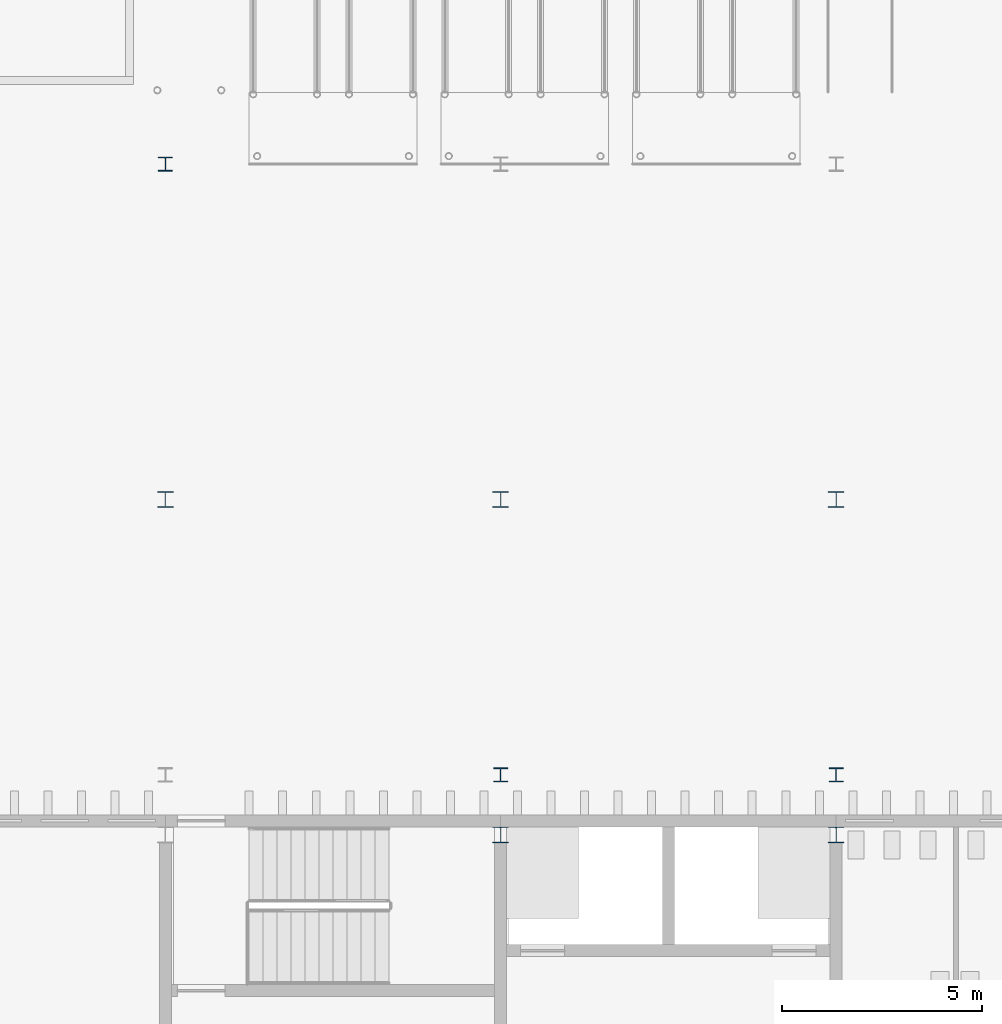
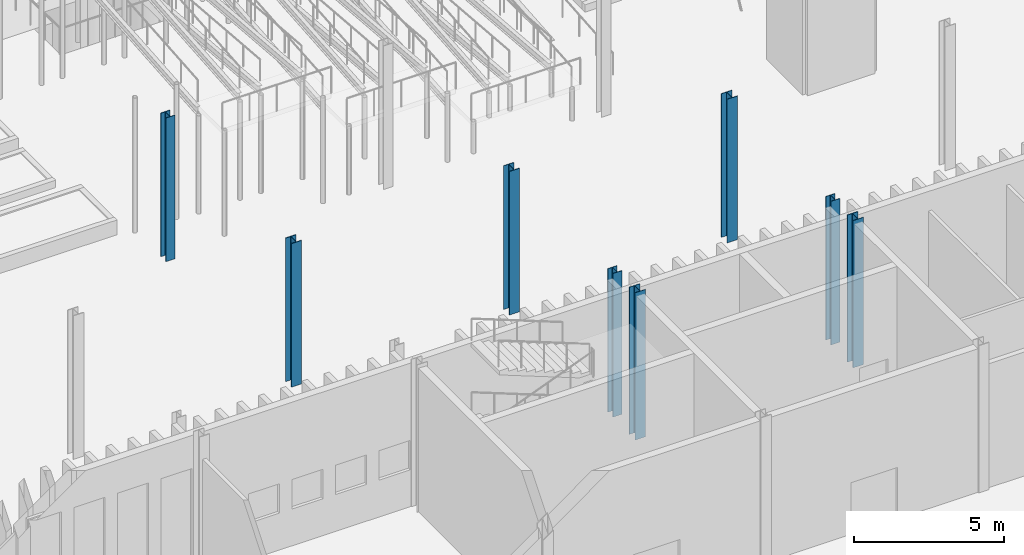
# One storey, part 20 of 108: 8 columns.
"""IFC4 building model written with IfcOpenShell, lengths in metres."""

from ifc_helpers import new_model, si_unit, direction, frame, origin, origin_2d, place, context, subcontext, project, spatial, i_section, extrude, material, material_profile, profile_set, type_object, element, save


model = new_model("IFC4")

# Units and contexts
model_context = context("Model", 3, precision=1e-05, world=origin(), true_north=direction((0.0, 1.0)))
body_context = subcontext(model_context, "Body", "Model", "MODEL_VIEW")
ifc_project = project(units=[si_unit("LENGTHUNIT", "METRE"), si_unit("AREAUNIT", "SQUARE_METRE"), si_unit("VOLUMEUNIT", "CUBIC_METRE"), si_unit("PLANEANGLEUNIT", "RADIAN"), si_unit("MASSUNIT", "GRAM", prefix="KILO")], contexts=[model_context])

# Site, building, storey
site_placement = place(None, origin())
site = spatial("IfcSite", under=ifc_project, at=site_placement, CompositionType="ELEMENT")
building_placement = place(site_placement, origin())
building = spatial("IfcBuilding", under=site, at=building_placement, Name="Cresset Court Congress Hotel", CompositionType="ELEMENT")
storey_placement = place(building_placement, origin())
storey = spatial("IfcBuildingStorey", under=building, at=storey_placement, Name="L00", CompositionType="ELEMENT", Elevation=0.0)

# Columns
ifc_material_1 = material(Name="Structural steel Q355B", Category="steel")
ifc_material_profile_1 = material_profile(ifc_material_1, i_section(OverallWidth=0.35009765625, OverallDepth=0.35009765625, WebThickness=0.011962890625, FlangeThickness=0.01904296875, FilletRadius=0.012939453125, at=origin_2d()), Name="HW350x350x12x19")
ifc_profile_set_1 = profile_set([ifc_material_profile_1], Name="Structural steel Q355B")
column_type_1 = type_object("IfcColumnType", Name="Steel column HW350x350x12x19", PredefinedType="COLUMN", material=ifc_profile_set_1)
for number, where, z_axis, x_axis, name in (
    (1, (109.199951171875, 26.699951171875, 0.0), (0.0, 0.0, 1.0), (1.0, 0.0, 0.0), "Deck column R113"),
    (2, (117.60009765625, 26.699951171875, 0.0), (0.0, 0.0, 1.0), (1.0, 0.0, 0.0), "Deck column R114"),
    (3, (100.800048828125, 42.0, 0.0), (0.0, 0.0, 1.0), (1.0, 0.0, 0.0), "Deck column R312"),
):
    element("IfcColumn", number, at=place(storey_placement, frame(where, z_axis=z_axis, x_axis=x_axis)), inside=storey, type_object=column_type_1, Name=name, PredefinedType="COLUMN", context=body_context, shape_type="SweptSolid", body=[
        extrude(i_section(OverallWidth=0.35009765625, OverallDepth=0.35009765625, WebThickness=0.011962890625, FlangeThickness=0.01904296875, FilletRadius=0.012939453125, at=origin_2d()), origin(), (0.0, 0.0, 1.0), 5.85009765625),
    ])
ifc_material_2 = material(Name="Structural steel Q355B", Category="steel")
ifc_material_profile_2 = material_profile(ifc_material_2, i_section(OverallWidth=0.39990234375, OverallDepth=0.39990234375, WebThickness=0.012939453125, FlangeThickness=0.02099609375, FilletRadius=0.02197265625, at=origin_2d()), Name="HW400x400x13x21")
ifc_profile_set_2 = profile_set([ifc_material_profile_2], Name="Structural steel Q355B")
column_type_2 = type_object("IfcColumnType", Name="Steel column HW400x400x13x21", PredefinedType="COLUMN", material=ifc_profile_set_2)
for number, where, z_axis, x_axis, name in (
    (4, (100.800048828125, 33.60009765625, 0.0), (0.0, 0.0, 1.0), (1.0, 0.0, 0.0), "Deck column R212"),
    (5, (109.199951171875, 33.60009765625, 0.0), (0.0, 0.0, 1.0), (1.0, 0.0, 0.0), "Deck column R213"),
    (6, (117.60009765625, 33.60009765625, 0.0), (0.0, 0.0, 1.0), (1.0, 0.0, 0.0), "Deck column R214"),
):
    element("IfcColumn", number, at=place(storey_placement, frame(where, z_axis=z_axis, x_axis=x_axis)), inside=storey, type_object=column_type_2, Name=name, PredefinedType="COLUMN", context=body_context, shape_type="SweptSolid", body=[
        extrude(i_section(OverallWidth=0.39990234375, OverallDepth=0.39990234375, WebThickness=0.012939453125, FlangeThickness=0.02099609375, FilletRadius=0.02197265625, at=origin_2d()), origin(), (0.0, 0.0, 1.0), 5.85009765625),
    ])
for number, where, z_axis, x_axis, name in (
    (7, (109.199951171875, 25.199951171875, 0.0), (0.0, 0.0, 1.0), (1.0, 0.0, 0.0), "B.col.L00.14D"),
    (8, (117.60009765625, 25.199951171875, 0.0), (0.0, 0.0, 1.0), (1.0, 0.0, 0.0), "B.col.L00.15D"),
):
    element("IfcColumn", number, at=place(storey_placement, frame(where, z_axis=z_axis, x_axis=x_axis)), inside=storey, type_object=column_type_2, Name=name, PredefinedType="COLUMN", context=body_context, shape_type="SweptSolid", body=[
        extrude(i_section(OverallWidth=0.39990234375, OverallDepth=0.39990234375, WebThickness=0.012939453125, FlangeThickness=0.02099609375, FilletRadius=0.02197265625, at=origin_2d()), origin(), (0.0, 0.0, 1.0), 6.0),
    ])

save(model, "model.ifc")
